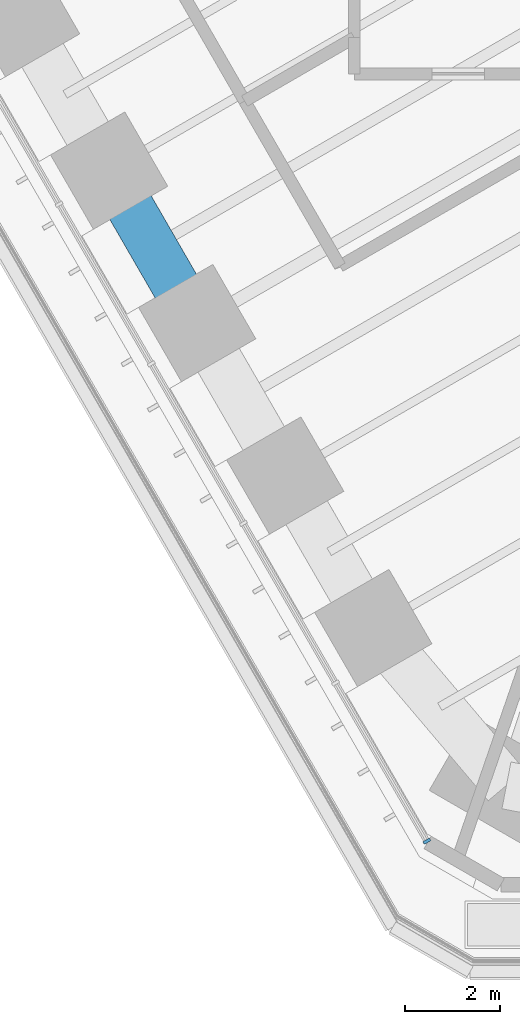
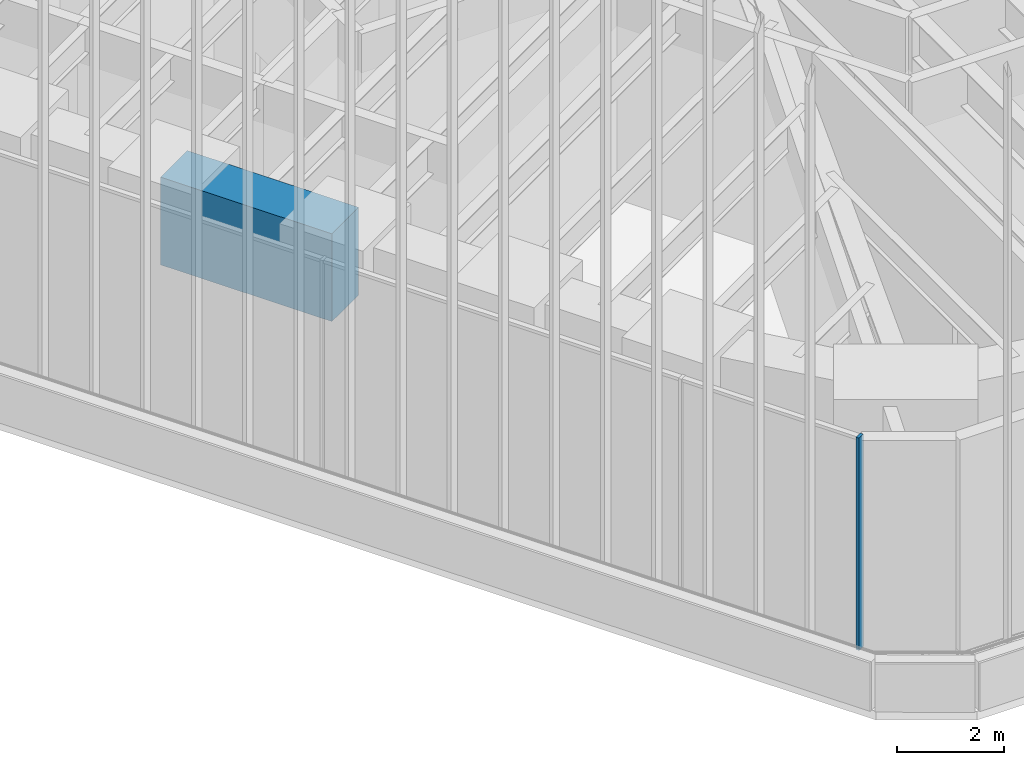
# One storey, part 15 of 228: 1 beam, 1 member, 1 element without a shape of its own.
"""IFC4 building model written with IfcOpenShell, lengths in metres."""

from ifc_helpers import new_model, si_unit, direction, frame, origin, origin_2d, place, context, subcontext, project, spatial, rectangle, extrude, material, material_profile, profile_set, type_object, element, aggregate, save


model = new_model("IFC4")

# Units and contexts
model_context = context("Model", 3, precision=1e-05, world=origin(), true_north=direction((0.0, 1.0)))
body_context = subcontext(model_context, "Body", "Model", "MODEL_VIEW")
ifc_project = project(units=[si_unit("LENGTHUNIT", "METRE"), si_unit("AREAUNIT", "SQUARE_METRE"), si_unit("VOLUMEUNIT", "CUBIC_METRE"), si_unit("PLANEANGLEUNIT", "RADIAN"), si_unit("MASSUNIT", "GRAM", prefix="KILO")], contexts=[model_context])

# Site, building, storey
site_placement = place(None, origin())
site = spatial("IfcSite", under=ifc_project, at=site_placement, CompositionType="ELEMENT")
building_placement = place(site_placement, origin())
building = spatial("IfcBuilding", under=site, at=building_placement, Name="Sandreach Pilgrim Tower", CompositionType="ELEMENT")
storey_placement = place(building_placement, frame((0.0, 0.0, 178.199951171875)))
storey = spatial("IfcBuildingStorey", under=building, at=storey_placement, Name="L44", CompositionType="ELEMENT", Elevation=178.199951171875)

# Curtain wall, member
ifc_material_1 = material(Name="Aluminium framed curtain wall", Category="aluminium")
curtain_wall_type = type_object("IfcCurtainWallType", Name="Upper hotel tower curtain wall", PredefinedType="NOTDEFINED", material=ifc_material_1)
curtain_wall_placement = place(storey_placement, origin())
curtain_wall = element("IfcCurtainWall", 1, at=curtain_wall_placement, inside=storey, type_object=curtain_wall_type, Name="CW-3 L44 SW", PredefinedType="NOTDEFINED")
ifc_material_2 = material(Name="Aluminium extrusion", Category="aluminium")
ifc_material_profile_1 = material_profile(ifc_material_2, rectangle(XDim=0.06494140625, YDim=0.159912109375, at=origin_2d()), Name="CW-3M 65X160")
ifc_profile_set_1 = profile_set([ifc_material_profile_1], Name="Aluminium extrusion")
member_type = type_object("IfcMemberType", Name="CW-3 mullion", PredefinedType="MULLION", material=ifc_profile_set_1)
member_placement = place(storey_placement, frame((-9.646484375, -25.612060546875, 0.0), z_axis=(0.0, 0.0, 1.0), x_axis=(-0.5, 0.866025403784, 0.0)))
member = element("IfcMember", 2, at=member_placement, type_object=member_type, Name="CW-3 mullion 1", PredefinedType="MULLION", context=body_context, shape_type="SweptSolid", body=[
    extrude(rectangle(XDim=0.06494140625, YDim=0.159912109375, at=origin_2d()), origin(), (0.0, 0.0, 1.0), 4.840087890625),
])
aggregate(curtain_wall, [member])

# Beam
ifc_material_3 = material(Name="Concrete 10000 psi", Category="concrete")
ifc_material_profile_2 = material_profile(ifc_material_3, rectangle(XDim=1.0, YDim=2.0, at=origin_2d()), Name="RC1000X2000")
ifc_profile_set_2 = profile_set([ifc_material_profile_2], Name="Concrete 10000 psi")
beam_type = type_object("IfcBeamType", Name="Spandrel beam RC1000X2000", PredefinedType="SPANDREL", material=ifc_profile_set_2)
beam_placement = place(storey_placement, frame((-14.464599609375, -14.746826171875, 3.840087890625), z_axis=(-0.49996473481, 0.866045763194, 0.0), x_axis=(-0.866045763194, -0.49996473481, 0.0)))
element("IfcBeam", 3, at=beam_placement, inside=storey, type_object=beam_type, Name="BM L44 SP29", PredefinedType="SPANDREL", context=body_context, shape_type="SweptSolid", body=[
    extrude(rectangle(XDim=1.0, YDim=2.0, at=origin_2d()), origin(), (0.0, 0.0, 1.0), 3.692626953125),
])

save(model, "model.ifc")
